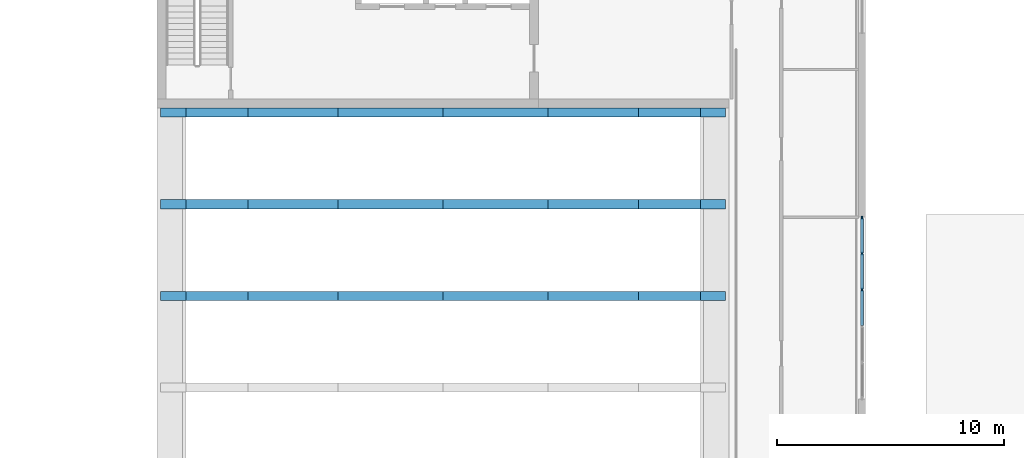
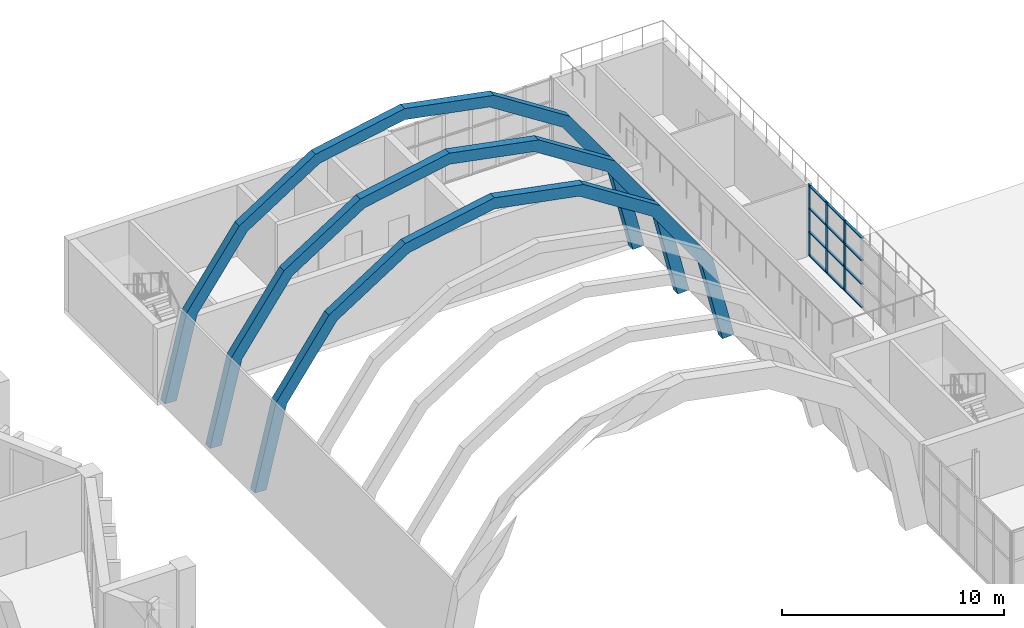
# One storey, part 43 of 96: 18 members, 1 element without a shape of its own.
"""IFC4 building model written with IfcOpenShell, lengths in metres."""

from ifc_helpers import new_model, si_unit, direction, frame, origin, origin_2d, place, context, subcontext, project, spatial, polyline, rectangle, outline, extrude, material, material_profile, profile_set, type_object, element, aggregate, save


model = new_model("IFC4")

# Units and contexts
model_context = context("Model", 3, precision=1e-05, world=origin(), true_north=direction((0.0, 1.0)))
body_context = subcontext(model_context, "Body", "Model", "MODEL_VIEW")
ifc_project = project(units=[si_unit("LENGTHUNIT", "METRE"), si_unit("AREAUNIT", "SQUARE_METRE"), si_unit("VOLUMEUNIT", "CUBIC_METRE"), si_unit("PLANEANGLEUNIT", "RADIAN"), si_unit("MASSUNIT", "GRAM", prefix="KILO")], contexts=[model_context])

# Site, building, storey
site_placement = place(None, origin())
site = spatial("IfcSite", under=ifc_project, at=site_placement, CompositionType="ELEMENT")
building_placement = place(site_placement, origin())
building = spatial("IfcBuilding", under=site, at=building_placement, Name="Cresset Court Congress Hotel", CompositionType="ELEMENT")
storey_placement = place(building_placement, frame((0.0, 0.0, 6.0)))
storey = spatial("IfcBuildingStorey", under=building, at=storey_placement, Name="L01", CompositionType="ELEMENT", Elevation=6.0)

# Curtain wall, members
ifc_material_1 = material(Name="Aluminium frame with insulated glass", Category="aluminium")
curtain_wall_type = type_object("IfcCurtainWallType", Name="Curtain wall module 1600", PredefinedType="NOTDEFINED", material=ifc_material_1)
curtain_wall_placement = place(storey_placement, origin())
curtain_wall = element("IfcCurtainWall", 1, at=curtain_wall_placement, inside=storey, type_object=curtain_wall_type, Name="Curtain wall E", PredefinedType="NOTDEFINED")
ifc_material_2 = material(Name="Aluminium", Category="aluminium")
ifc_material_profile_1 = material_profile(ifc_material_2, rectangle(XDim=0.1201171875, YDim=0.06005859375, at=origin_2d()), Name="AL 120x60")
ifc_profile_set_1 = profile_set([ifc_material_profile_1], Name="Aluminium")
member_type_1 = type_object("IfcMemberType", Name="CW transom RECT 120x60", PredefinedType="USERDEFINED", material=ifc_profile_set_1)
member_1_placement = place(storey_placement, frame((157.050048828125, 91.22998046875, 0.06005859375), z_axis=(0.0, 1.0, 0.0), x_axis=(-1.0, 0.0, 0.0)))
member_1 = element("IfcMember", 2, at=member_1_placement, type_object=member_type_1, Name="D-X3 transom 3.1", ObjectType="TRANSOM", PredefinedType="USERDEFINED", context=body_context, shape_type="SweptSolid", body=[
    extrude(rectangle(XDim=0.1201171875, YDim=0.06005859375, at=origin_2d()), origin(), (0.0, 0.0, 1.0), 1.5400390625),
])
member_2_placement = place(storey_placement, frame((157.050048828125, 91.22998046875, 1.3330078125), z_axis=(0.0, 1.0, 0.0), x_axis=(-1.0, 0.0, 0.0)))
member_2 = element("IfcMember", 3, at=member_2_placement, type_object=member_type_1, Name="D-X3 transom 3.2", ObjectType="TRANSOM", PredefinedType="USERDEFINED", context=body_context, shape_type="SweptSolid", body=[
    extrude(rectangle(XDim=0.1201171875, YDim=0.06005859375, at=origin_2d()), origin(), (0.0, 0.0, 1.0), 1.5400390625),
])
member_3_placement = place(storey_placement, frame((157.050048828125, 91.22998046875, 2.6259765625), z_axis=(0.0, 1.0, 0.0), x_axis=(-1.0, 0.0, 0.0)))
member_3 = element("IfcMember", 4, at=member_3_placement, type_object=member_type_1, Name="D-X3 transom 3.3", ObjectType="TRANSOM", PredefinedType="USERDEFINED", context=body_context, shape_type="SweptSolid", body=[
    extrude(rectangle(XDim=0.1201171875, YDim=0.06005859375, at=origin_2d()), origin(), (0.0, 0.0, 1.0), 1.5400390625),
])
member_4_placement = place(storey_placement, frame((157.050048828125, 91.22998046875, 3.860107421875), z_axis=(0.0, 1.0, 0.0), x_axis=(-1.0, 0.0, 0.0)))
member_4 = element("IfcMember", 5, at=member_4_placement, type_object=member_type_1, Name="D-X3 transom 3.4", ObjectType="TRANSOM", PredefinedType="USERDEFINED", context=body_context, shape_type="SweptSolid", body=[
    extrude(rectangle(XDim=0.1201171875, YDim=0.06005859375, at=origin_2d()), origin(), (0.0, 0.0, 1.0), 1.5400390625),
])
member_5_placement = place(storey_placement, frame((157.050048828125, 92.830078125, 0.06005859375), z_axis=(0.0, 1.0, 0.0), x_axis=(-1.0, 0.0, 0.0)))
member_5 = element("IfcMember", 6, at=member_5_placement, type_object=member_type_1, Name="D-X3 transom 4.1", ObjectType="TRANSOM", PredefinedType="USERDEFINED", context=body_context, shape_type="SweptSolid", body=[
    extrude(rectangle(XDim=0.1201171875, YDim=0.06005859375, at=origin_2d()), origin(), (0.0, 0.0, 1.0), 1.5400390625),
])
member_6_placement = place(storey_placement, frame((157.050048828125, 92.830078125, 1.3330078125), z_axis=(0.0, 1.0, 0.0), x_axis=(-1.0, 0.0, 0.0)))
member_6 = element("IfcMember", 7, at=member_6_placement, type_object=member_type_1, Name="D-X3 transom 4.2", ObjectType="TRANSOM", PredefinedType="USERDEFINED", context=body_context, shape_type="SweptSolid", body=[
    extrude(rectangle(XDim=0.1201171875, YDim=0.06005859375, at=origin_2d()), origin(), (0.0, 0.0, 1.0), 1.5400390625),
])
member_7_placement = place(storey_placement, frame((157.050048828125, 92.830078125, 2.6259765625), z_axis=(0.0, 1.0, 0.0), x_axis=(-1.0, 0.0, 0.0)))
member_7 = element("IfcMember", 8, at=member_7_placement, type_object=member_type_1, Name="D-X3 transom 4.3", ObjectType="TRANSOM", PredefinedType="USERDEFINED", context=body_context, shape_type="SweptSolid", body=[
    extrude(rectangle(XDim=0.1201171875, YDim=0.06005859375, at=origin_2d()), origin(), (0.0, 0.0, 1.0), 1.5400390625),
])
member_8_placement = place(storey_placement, frame((157.050048828125, 92.830078125, 3.860107421875), z_axis=(0.0, 1.0, 0.0), x_axis=(-1.0, 0.0, 0.0)))
member_8 = element("IfcMember", 9, at=member_8_placement, type_object=member_type_1, Name="D-X3 transom 4.4", ObjectType="TRANSOM", PredefinedType="USERDEFINED", context=body_context, shape_type="SweptSolid", body=[
    extrude(rectangle(XDim=0.1201171875, YDim=0.06005859375, at=origin_2d()), origin(), (0.0, 0.0, 1.0), 1.5400390625),
])
member_9_placement = place(storey_placement, frame((157.050048828125, 94.429931640625, 0.06005859375), z_axis=(0.0, 1.0, 0.0), x_axis=(-1.0, 0.0, 0.0)))
member_9 = element("IfcMember", 10, at=member_9_placement, type_object=member_type_1, Name="D-X3 transom 5.1", ObjectType="TRANSOM", PredefinedType="USERDEFINED", context=body_context, shape_type="SweptSolid", body=[
    extrude(rectangle(XDim=0.1201171875, YDim=0.06005859375, at=origin_2d()), origin(), (0.0, 0.0, 1.0), 1.510009765625),
])
member_10_placement = place(storey_placement, frame((157.050048828125, 94.429931640625, 1.3330078125), z_axis=(0.0, 1.0, 0.0), x_axis=(-1.0, 0.0, 0.0)))
member_10 = element("IfcMember", 11, at=member_10_placement, type_object=member_type_1, Name="D-X3 transom 5.2", ObjectType="TRANSOM", PredefinedType="USERDEFINED", context=body_context, shape_type="SweptSolid", body=[
    extrude(rectangle(XDim=0.1201171875, YDim=0.06005859375, at=origin_2d()), origin(), (0.0, 0.0, 1.0), 1.510009765625),
])
member_11_placement = place(storey_placement, frame((157.050048828125, 94.429931640625, 2.6259765625), z_axis=(0.0, 1.0, 0.0), x_axis=(-1.0, 0.0, 0.0)))
member_11 = element("IfcMember", 12, at=member_11_placement, type_object=member_type_1, Name="D-X3 transom 5.3", ObjectType="TRANSOM", PredefinedType="USERDEFINED", context=body_context, shape_type="SweptSolid", body=[
    extrude(rectangle(XDim=0.1201171875, YDim=0.06005859375, at=origin_2d()), origin(), (0.0, 0.0, 1.0), 1.510009765625),
])
member_12_placement = place(storey_placement, frame((157.050048828125, 94.429931640625, 3.860107421875), z_axis=(0.0, 1.0, 0.0), x_axis=(-1.0, 0.0, 0.0)))
member_12 = element("IfcMember", 13, at=member_12_placement, type_object=member_type_1, Name="D-X3 transom 5.4", ObjectType="TRANSOM", PredefinedType="USERDEFINED", context=body_context, shape_type="SweptSolid", body=[
    extrude(rectangle(XDim=0.1201171875, YDim=0.06005859375, at=origin_2d()), origin(), (0.0, 0.0, 1.0), 1.510009765625),
])
ifc_material_3 = material(Name="Anodised aluminium", Category="aluminium")
ifc_material_profile_2 = material_profile(ifc_material_3, rectangle(XDim=0.06005859375, YDim=0.159912109375, at=origin_2d()), Name="AL60x160")
ifc_profile_set_2 = profile_set([ifc_material_profile_2], Name="Anodised aluminium")
member_type_2 = type_object("IfcMemberType", Name="Curtain wall mullion 60x160", PredefinedType="MULLION", material=ifc_profile_set_2)
member_13_placement = place(storey_placement, frame((157.050048828125, 92.800048828125, 0.0), z_axis=(0.0, 0.0, 1.0), x_axis=(-1.0, 0.0, 0.0)))
member_13 = element("IfcMember", 14, at=member_13_placement, type_object=member_type_2, Name="D-X3 mullion 4", PredefinedType="MULLION", context=body_context, shape_type="SweptSolid", body=[
    extrude(rectangle(XDim=0.06005859375, YDim=0.159912109375, at=origin_2d()), origin(), (0.0, 0.0, 1.0), 3.919921875),
])
member_14_placement = place(storey_placement, frame((157.050048828125, 94.39990234375, 0.0), z_axis=(0.0, 0.0, 1.0), x_axis=(-1.0, 0.0, 0.0)))
member_14 = element("IfcMember", 15, at=member_14_placement, type_object=member_type_2, Name="D-X3 mullion 5", PredefinedType="MULLION", context=body_context, shape_type="SweptSolid", body=[
    extrude(rectangle(XDim=0.06005859375, YDim=0.159912109375, at=origin_2d()), origin(), (0.0, 0.0, 1.0), 3.919921875),
])
member_15_placement = place(storey_placement, frame((157.050048828125, 95.969970703125, 0.0), z_axis=(0.0, 0.0, 1.0), x_axis=(-1.0, 0.0, 0.0)))
member_15 = element("IfcMember", 16, at=member_15_placement, type_object=member_type_2, Name="D-X3 mullion 6", PredefinedType="MULLION", context=body_context, shape_type="SweptSolid", body=[
    extrude(rectangle(XDim=0.06005859375, YDim=0.159912109375, at=origin_2d()), origin(), (0.0, 0.0, 1.0), 3.919921875),
])
aggregate(curtain_wall, [member_13, member_14, member_15, member_1, member_2, member_3, member_4, member_5, member_6, member_7, member_8, member_9, member_10, member_11, member_12])

# Members
ifc_material_4 = material(Name="Concrete C40", Category="concrete")
ifc_material_profile_3 = material_profile(ifc_material_4, rectangle(XDim=0.39990234375, YDim=0.60009765625, at=origin_2d()), Name="RC400x600")
ifc_profile_set_3 = profile_set([ifc_material_profile_3], Name="Concrete C40")
member_type_3 = type_object("IfcMemberType", Name="Vault rib 400x600", PredefinedType="USERDEFINED", material=ifc_profile_set_3)
for number, where, name in (
    (17, (0.0, 92.533203125, -6.0), "Vault rib 5"),
    (18, (0.0, 96.566650390625, -6.0), "Vault rib 6"),
    (19, (0.0, 100.60009765625, -6.0), "Vault rib 7"),
):
    element("IfcMember", number, at=place(storey_placement, frame(where)), inside=storey, type_object=member_type_3, Name=name, ObjectType="VAULT RIB", PredefinedType="USERDEFINED", context=body_context, shape_type="SweptSolid", body=[
        extrude(outline(polyline([(126.158203125, 5.9921875), (127.2685546875, 10.572021484375), (130.00537109375, 14.409423828125), (133.9716796875, 16.955810546875), (138.60009765625, 17.84716796875), (143.228515625, 16.955810546875), (147.194580078125, 14.409423828125), (149.931396484375, 10.572021484375), (151.0419921875, 5.9921875), (150.442626953125, 5.962890625), (149.3759765625, 10.317626953125), (146.773193359375, 13.966796875), (143.00146484375, 16.388671875), (138.60009765625, 17.236083984375), (134.198486328125, 16.388671875), (130.4267578125, 13.966796875), (127.82421875, 10.317626953125), (126.75732421875, 5.962890625), (126.158203125, 5.9921875)])), frame((0.0, 0.199951171875, 0.0), z_axis=(0.0, -1.0, 0.0), x_axis=(1.0, 0.0, 0.0)), (0.0, 0.0, 1.0), 0.39990234375),
    ])

save(model, "model.ifc")
